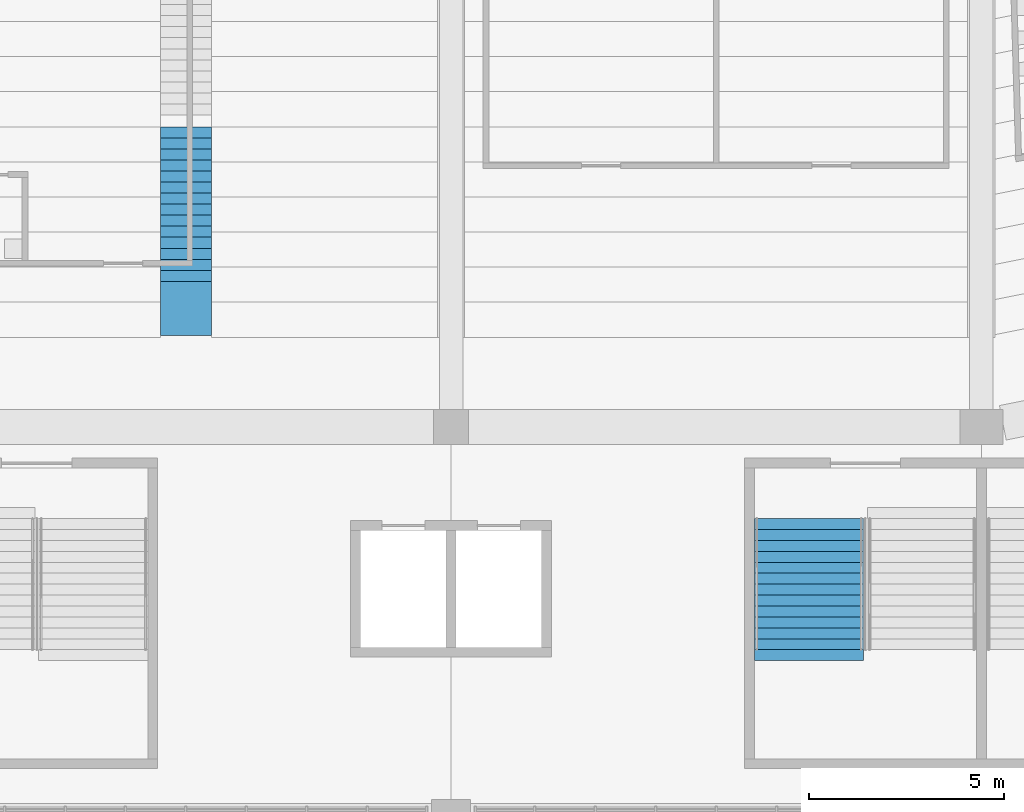
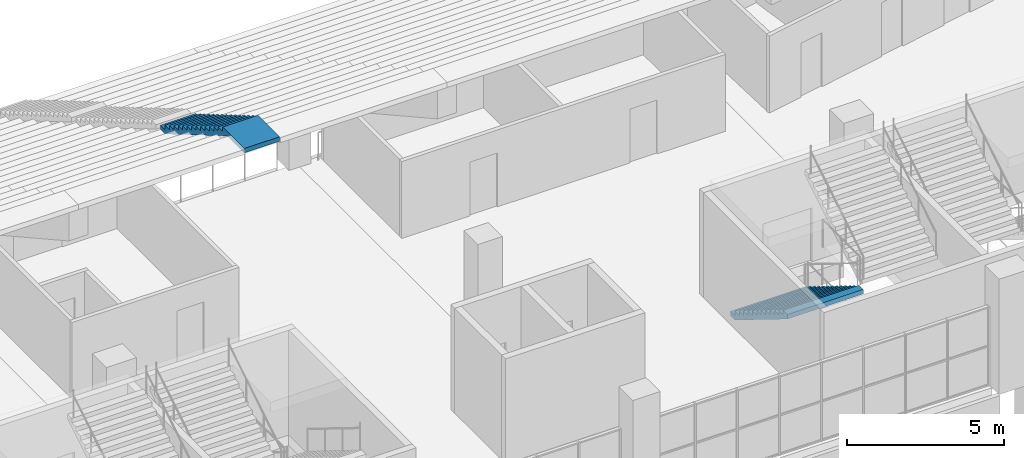
# One storey, part 151 of 249: 2 stair flights, 2 elements without a shape of their own.
"""IFC4 building model written with IfcOpenShell, lengths in metres."""

import ifcopenshell
import ifcopenshell.guid

model = None  # the IFC model being written
_history = None  # IfcOwnerHistory: only IFC2X3 demands one
_inside = {}  # id of a spatial element -> (the spatial element, [elements in it])
_under = {}  # id of a project, library or spatial element -> (it, [spatial elements below it])
_declared = {}  # id of a project -> (the project, [libraries it declares])
_typed = {}  # id of a type object -> (the type object, [elements of that type])
_made_of = {}  # id of a material, layer set ... -> (it, [elements and type objects made of it])


def new_model(schema):
    """Start an empty IFC model of exactly this schema.

    Asked for "IFC4X3", IfcOpenShell would pick the latest addendum, in which some entities
    have other attributes; the version numbers below select the first issue.
    IFC2X3 requires an IfcOwnerHistory on every rooted entity: one is made here for all.
    """
    global model, _history
    if schema == "IFC4X3":
        model = ifcopenshell.file(schema_version=(4, 3, 0, 0))
    else:
        model = ifcopenshell.file(schema=schema)
    _inside.clear()
    _under.clear()
    _declared.clear()
    _typed.clear()
    _made_of.clear()
    _history = None
    if model.schema == "IFC2X3":
        org = make("IfcOrganization", Name="unknown")
        user = make(
            "IfcPersonAndOrganization",
            ThePerson=make("IfcPerson", FamilyName="unknown"),
            TheOrganization=org,
        )
        app = make(
            "IfcApplication",
            ApplicationDeveloper=org,
            Version="unknown",
            ApplicationFullName="unknown",
            ApplicationIdentifier="unknown",
        )
        _history = make(
            "IfcOwnerHistory",
            OwningUser=user,
            OwningApplication=app,
            ChangeAction="ADDED",
            CreationDate=0,
        )
    return model


def make(cls, **values):
    """One entity of the class cls with the attributes given. An attribute that is None is left unset."""
    return model.create_entity(
        cls, **{name: value for name, value in values.items() if value is not None}
    )


def rooted(cls, **values):
    """An entity with a GlobalId (a new one), such as an element, a storey or a relation."""
    return make(cls, GlobalId=ifcopenshell.guid.new(), OwnerHistory=_history, **values)


def si_unit(unit_type, name, prefix=None):
    """IfcSIUnit, for example si_unit("LENGTHUNIT", "METRE", prefix="MILLI")."""
    return make("IfcSIUnit", UnitType=unit_type, Prefix=prefix, Name=name)


def assignment(units):
    """IfcUnitAssignment: the units of a project."""
    return None if units is None else make("IfcUnitAssignment", Units=units)


def point(xyz):
    """IfcCartesianPoint."""
    return None if xyz is None else make("IfcCartesianPoint", Coordinates=xyz)


def direction(xyz):
    """IfcDirection."""
    return None if xyz is None else make("IfcDirection", DirectionRatios=xyz)


def frame(location, z_axis=None, x_axis=None):
    """IfcAxis2Placement3D, a coordinate frame: its origin and axes. An axis left out is left unset."""
    return make(
        "IfcAxis2Placement3D",
        Location=point(location),
        Axis=direction(z_axis),
        RefDirection=direction(x_axis),
    )


def origin():
    """The frame at (0, 0, 0) with its axes left unset."""
    return frame((0.0, 0.0, 0.0))


def place(relative_to, where):
    """IfcLocalPlacement: puts the frame where relative to a parent placement (None: the world)."""
    return make(
        "IfcLocalPlacement", PlacementRelTo=relative_to, RelativePlacement=where
    )


def context(
    kind, dimensions, precision=None, world=None, true_north=None, identifier=None
):
    """IfcGeometricRepresentationContext, for example the 3D "Model" context."""
    return make(
        "IfcGeometricRepresentationContext",
        ContextIdentifier=identifier,
        ContextType=kind,
        CoordinateSpaceDimension=dimensions,
        Precision=precision,
        WorldCoordinateSystem=world,
        TrueNorth=true_north,
    )


def subcontext(parent, identifier, kind, view, scale=None):
    """IfcGeometricRepresentationSubContext, for example "Body" below "Model"."""
    return make(
        "IfcGeometricRepresentationSubContext",
        ContextIdentifier=identifier,
        ContextType=kind,
        ParentContext=parent,
        TargetScale=scale,
        TargetView=view,
    )


def project(units=None, contexts=None):
    """IfcProject with its units and contexts."""
    return rooted(
        "IfcProject",
        Name="project",
        RepresentationContexts=contexts,
        UnitsInContext=assignment(units),
    )


def spatial(cls, under=None, at=None, **own):
    """A site, building, storey or space (cls), placed at a placement, below another one or the project."""
    s = rooted(cls, ObjectPlacement=at, **own)
    if under is not None:
        _under.setdefault(under.id(), (under, []))[1].append(s)
    return s


def faces_of(points, faces, orient=None, outer=None):
    """IfcFace entities. A face is a list of loops; a loop is a list of indices into points, from 0.

    orient and outer hold one flag for each loop. By default every Orientation is true, the
    first loop of a face is its IfcFaceOuterBound and the others are IfcFaceBound.
    """
    made = []
    for i, loops in enumerate(faces):
        bounds = []
        for j, loop in enumerate(loops):
            is_outer = j == 0 if outer is None else outer[i][j]
            bounds.append(
                make(
                    "IfcFaceOuterBound" if is_outer else "IfcFaceBound",
                    Bound=make("IfcPolyLoop", Polygon=[points[k] for k in loop]),
                    Orientation=True if orient is None else orient[i][j],
                )
            )
        made.append(make("IfcFace", Bounds=bounds))
    return made


def faceted_brep(points, faces, orient=None, outer=None, voids=None):
    """IfcFacetedBrep: a solid bounded by flat faces; with voids (closed shells), ...WithVoids."""
    shared = [point(p) for p in points]
    hull = make("IfcClosedShell", CfsFaces=faces_of(shared, faces, orient, outer))
    if voids is None:
        return make("IfcFacetedBrep", Outer=hull)
    return make(
        "IfcFacetedBrepWithVoids",
        Outer=hull,
        Voids=[
            make(cls, CfsFaces=faces_of(shared, fs, o, b)) for cls, fs, o, b in voids
        ],
    )


def shape(context_of_items, identifier, shape_type, items):
    """IfcShapeRepresentation: the items that make up one representation, for example the "Body"."""
    return make(
        "IfcShapeRepresentation",
        ContextOfItems=context_of_items,
        RepresentationIdentifier=identifier,
        RepresentationType=shape_type,
        Items=items,
    )


def material(Name=None, Category=None):
    """IfcMaterial."""
    return make("IfcMaterial", Name=Name, Category=Category)


def made_of(thing, what):
    """Note that an element or type object is made of a material, layer set ...; save() writes the relation."""
    if what is not None:
        _made_of.setdefault(what.id(), (what, []))[1].append(thing)
    return thing


def type_object(cls, material=None, **own):
    """A type object (cls), such as IfcWallType, which elements share."""
    return made_of(rooted(cls, **own), material)


def element(
    cls,
    number,
    at=None,
    inside=None,
    cuts=None,
    type_object=None,
    material=None,
    context=None,
    identifier="Body",
    shape_type=None,
    held_by="IfcProductDefinitionShape",
    body=None,
    shapes=None,
    **own,
):
    """One element of the class cls, such as IfcWall. Its Tag is "e" and its number.

    at: its placement. inside: the storey or other place that contains it. cuts: it is an
    opening in that element (IfcRelVoidsElement). A single representation is given by context,
    identifier, shape_type and body (its items); several are given by shapes. held_by: the class
    of the entity that holds the representations. save() writes the other relations.
    """
    e = rooted(cls, Tag="e%d" % number, ObjectPlacement=at, **own)
    if body is not None:
        shapes = [shape(context, identifier, shape_type, body)]
    if shapes is not None:
        e.Representation = make(held_by, Representations=shapes)
    if inside is not None:
        _inside.setdefault(inside.id(), (inside, []))[1].append(e)
    if cuts is not None:
        rooted(
            "IfcRelVoidsElement", RelatingBuildingElement=cuts, RelatedOpeningElement=e
        )
    if type_object is not None:
        _typed.setdefault(type_object.id(), (type_object, []))[1].append(e)
    return made_of(e, material)


def aggregate(whole, parts):
    """IfcRelAggregates: a whole, such as a stair, and the parts it consists of."""
    return rooted("IfcRelAggregates", RelatingObject=whole, RelatedObjects=parts)


def save(model, path):
    """Write the relations noted so far, then the file.

    IfcRelAggregates (storeys below a building ...), IfcRelContainedInSpatialStructure (elements
    in a storey), IfcRelDefinesByType, IfcRelAssociatesMaterial and IfcRelDeclares: one each for
    every whole, place, type object, material and project.
    """
    for whole, parts in _under.values():
        aggregate(whole, parts)
    for where, things in _inside.values():
        rooted(
            "IfcRelContainedInSpatialStructure",
            RelatedElements=things,
            RelatingStructure=where,
        )
    for kind, things in _typed.values():
        rooted("IfcRelDefinesByType", RelatedObjects=things, RelatingType=kind)
    for what, things in _made_of.values():
        rooted("IfcRelAssociatesMaterial", RelatedObjects=things, RelatingMaterial=what)
    for by, libraries in _declared.values():
        rooted("IfcRelDeclares", RelatingContext=by, RelatedDefinitions=libraries)
    model.write(path)


model = new_model("IFC4")

# Units and contexts
model_context = context("Model", 3, precision=1e-05, world=origin(), true_north=direction((0.0, 1.0)))
body_context = subcontext(model_context, "Body", "Model", "MODEL_VIEW")
ifc_project = project(units=[si_unit("LENGTHUNIT", "METRE"), si_unit("AREAUNIT", "SQUARE_METRE"), si_unit("VOLUMEUNIT", "CUBIC_METRE"), si_unit("PLANEANGLEUNIT", "RADIAN"), si_unit("MASSUNIT", "GRAM", prefix="KILO")], contexts=[model_context])

# Site, building, storey
site_placement = place(None, origin())
site = spatial("IfcSite", under=ifc_project, at=site_placement, CompositionType="ELEMENT")
building_placement = place(site_placement, origin())
building = spatial("IfcBuilding", under=site, at=building_placement, Name="Ogive Plaza Stadium", CompositionType="ELEMENT")
storey_placement = place(building_placement, frame((0.0, 0.0, 13.5)))
storey = spatial("IfcBuildingStorey", under=building, at=storey_placement, Name="L03", CompositionType="ELEMENT", Elevation=13.5)

# Stair, stair flight
ifc_material_1 = material(Name="Concrete C40/50", Category="concrete")
stair_type_1 = type_object("IfcStairType", Name="Aisle stair", PredefinedType="STRAIGHT_RUN_STAIR", material=ifc_material_1)
stair_1_placement = place(storey_placement, origin())
stair_1 = element("IfcStair", 1, at=stair_1_placement, inside=storey, type_object=stair_type_1, Name="Aisle stair SA13U", PredefinedType="STRAIGHT_RUN_STAIR")
ifc_material_2 = material(Name="Concrete C40/50", Category="concrete")
stair_flight_type_1 = type_object("IfcStairFlightType", Name="Aisle stair flight", PredefinedType="STRAIGHT", material=ifc_material_2)
stair_flight_1_placement = place(storey_placement, frame((13.60009765625, -84.800048828125, 6.5), z_axis=(0.0, 0.0, 1.0), x_axis=(0.0, -1.0, 0.0)))
stair_flight_1 = element("IfcStairFlight", 2, at=stair_flight_1_placement, type_object=stair_flight_type_1, Name="SA13U flight 3", NumberOfRisers=15, NumberOfTreads=14, PredefinedType="STRAIGHT", RiserHeight=0.166666667, TreadLength=0.283333333, context=body_context, shape_type="Brep", body=[
    faceted_brep([(0.295654296875, -0.64990234375, 0.0), (4.25, -0.64990234375, 2.326171875), (5.35009765625, -0.64990234375, 2.326171875), (5.35009765625, -0.64990234375, 2.5), (3.966552734375, -0.64990234375, 2.5), (3.966552734375, -0.64990234375, 2.333251953125), (3.683349609375, -0.64990234375, 2.333251953125), (3.683349609375, -0.64990234375, 2.166748046875), (3.39990234375, -0.64990234375, 2.166748046875), (3.39990234375, -0.64990234375, 2.0), (3.11669921875, -0.64990234375, 2.0), (3.11669921875, -0.64990234375, 1.833251953125), (2.833251953125, -0.64990234375, 1.833251953125), (2.833251953125, -0.64990234375, 1.666748046875), (2.550048828125, -0.64990234375, 1.666748046875), (2.550048828125, -0.64990234375, 1.5), (2.2666015625, -0.64990234375, 1.5), (2.2666015625, -0.64990234375, 1.333251953125), (1.9833984375, -0.64990234375, 1.333251953125), (1.9833984375, -0.64990234375, 1.166748046875), (1.699951171875, -0.64990234375, 1.166748046875), (1.699951171875, -0.64990234375, 1.0), (1.416748046875, -0.64990234375, 1.0), (1.416748046875, -0.64990234375, 0.833251953125), (1.13330078125, -0.64990234375, 0.833251953125), (1.13330078125, -0.64990234375, 0.666748046875), (0.85009765625, -0.64990234375, 0.666748046875), (0.85009765625, -0.64990234375, 0.5), (0.566650390625, -0.64990234375, 0.5), (0.566650390625, -0.64990234375, 0.333251953125), (0.283447265625, -0.64990234375, 0.333251953125), (0.283447265625, -0.64990234375, 0.166748046875), (0.0, -0.64990234375, 0.166748046875), (0.0, -0.64990234375, 0.0), (0.0, 0.64990234375, 0.0), (0.0, 0.64990234375, 0.166748046875), (0.283447265625, 0.64990234375, 0.166748046875), (0.283447265625, 0.64990234375, 0.333251953125), (0.566650390625, 0.64990234375, 0.333251953125), (0.566650390625, 0.64990234375, 0.5), (0.85009765625, 0.64990234375, 0.5), (0.85009765625, 0.64990234375, 0.666748046875), (1.13330078125, 0.64990234375, 0.666748046875), (1.13330078125, 0.64990234375, 0.833251953125), (1.416748046875, 0.64990234375, 0.833251953125), (1.416748046875, 0.64990234375, 1.0), (1.699951171875, 0.64990234375, 1.0), (1.699951171875, 0.64990234375, 1.166748046875), (1.9833984375, 0.64990234375, 1.166748046875), (1.9833984375, 0.64990234375, 1.333251953125), (2.2666015625, 0.64990234375, 1.333251953125), (2.2666015625, 0.64990234375, 1.5), (2.550048828125, 0.64990234375, 1.5), (2.550048828125, 0.64990234375, 1.666748046875), (2.833251953125, 0.64990234375, 1.666748046875), (2.833251953125, 0.64990234375, 1.833251953125), (3.11669921875, 0.64990234375, 1.833251953125), (3.11669921875, 0.64990234375, 2.0), (3.39990234375, 0.64990234375, 2.0), (3.39990234375, 0.64990234375, 2.166748046875), (3.683349609375, 0.64990234375, 2.166748046875), (3.683349609375, 0.64990234375, 2.333251953125), (3.966552734375, 0.64990234375, 2.333251953125), (3.966552734375, 0.64990234375, 2.5), (5.35009765625, 0.64990234375, 2.5), (5.35009765625, 0.64990234375, 2.326171875), (4.25, 0.64990234375, 2.326171875), (0.295654296875, 0.64990234375, 0.0), (0.295654296875, -0.324951171875, 0.0), (4.25, -0.324951171875, 2.326171875), (0.295654296875, 0.0, 0.0), (4.25, 0.0, 2.326171875), (0.295654296875, 0.324951171875, 0.0), (4.25, 0.324951171875, 2.326171875), (5.35009765625, -0.324951171875, 2.326171875), (5.35009765625, 0.0, 2.326171875), (5.35009765625, 0.324951171875, 2.326171875), (5.35009765625, -0.324951171875, 2.5), (5.35009765625, 0.0, 2.5), (5.35009765625, 0.324951171875, 2.5), (3.966552734375, -0.324951171875, 2.5), (3.966552734375, 0.0, 2.5), (3.966552734375, 0.324951171875, 2.5), (3.966552734375, -0.324951171875, 2.333251953125), (3.966552734375, 0.0, 2.333251953125), (3.966552734375, 0.324951171875, 2.333251953125), (3.683349609375, -0.324951171875, 2.333251953125), (3.683349609375, 0.0, 2.333251953125), (3.683349609375, 0.324951171875, 2.333251953125), (3.683349609375, -0.324951171875, 2.166748046875), (3.683349609375, 0.0, 2.166748046875), (3.683349609375, 0.324951171875, 2.166748046875), (3.39990234375, -0.324951171875, 2.166748046875), (3.39990234375, 0.0, 2.166748046875), (3.39990234375, 0.324951171875, 2.166748046875), (3.39990234375, -0.324951171875, 2.0), (3.39990234375, 0.0, 2.0), (3.39990234375, 0.324951171875, 2.0), (3.11669921875, -0.324951171875, 2.0), (3.11669921875, 0.0, 2.0), (3.11669921875, 0.324951171875, 2.0), (3.11669921875, -0.324951171875, 1.833251953125), (3.11669921875, 0.0, 1.833251953125), (3.11669921875, 0.324951171875, 1.833251953125), (2.833251953125, -0.324951171875, 1.833251953125), (2.833251953125, 0.0, 1.833251953125), (2.833251953125, 0.324951171875, 1.833251953125), (2.833251953125, -0.324951171875, 1.666748046875), (2.833251953125, 0.0, 1.666748046875), (2.833251953125, 0.324951171875, 1.666748046875), (2.550048828125, -0.324951171875, 1.666748046875), (2.550048828125, 0.0, 1.666748046875), (2.550048828125, 0.324951171875, 1.666748046875), (2.550048828125, -0.324951171875, 1.5), (2.550048828125, 0.0, 1.5), (2.550048828125, 0.324951171875, 1.5), (2.2666015625, -0.324951171875, 1.5), (2.2666015625, 0.0, 1.5), (2.2666015625, 0.324951171875, 1.5), (2.2666015625, -0.324951171875, 1.333251953125), (2.2666015625, 0.0, 1.333251953125), (2.2666015625, 0.324951171875, 1.333251953125), (1.9833984375, -0.324951171875, 1.333251953125), (1.9833984375, 0.0, 1.333251953125), (1.9833984375, 0.324951171875, 1.333251953125), (1.9833984375, -0.324951171875, 1.166748046875), (1.9833984375, 0.0, 1.166748046875), (1.9833984375, 0.324951171875, 1.166748046875), (1.699951171875, -0.324951171875, 1.166748046875), (1.699951171875, 0.0, 1.166748046875), (1.699951171875, 0.324951171875, 1.166748046875), (1.699951171875, -0.324951171875, 1.0), (1.699951171875, 0.0, 1.0), (1.699951171875, 0.324951171875, 1.0), (1.416748046875, -0.324951171875, 1.0), (1.416748046875, 0.0, 1.0), (1.416748046875, 0.324951171875, 1.0), (1.416748046875, -0.324951171875, 0.833251953125), (1.416748046875, 0.0, 0.833251953125), (1.416748046875, 0.324951171875, 0.833251953125), (1.13330078125, -0.324951171875, 0.833251953125), (1.13330078125, 0.0, 0.833251953125), (1.13330078125, 0.324951171875, 0.833251953125), (1.13330078125, -0.324951171875, 0.666748046875), (1.13330078125, 0.0, 0.666748046875), (1.13330078125, 0.324951171875, 0.666748046875), (0.85009765625, -0.324951171875, 0.666748046875), (0.85009765625, 0.0, 0.666748046875), (0.85009765625, 0.324951171875, 0.666748046875), (0.85009765625, -0.324951171875, 0.5), (0.85009765625, 0.0, 0.5), (0.85009765625, 0.324951171875, 0.5), (0.566650390625, -0.324951171875, 0.5), (0.566650390625, 0.0, 0.5), (0.566650390625, 0.324951171875, 0.5), (0.566650390625, -0.324951171875, 0.333251953125), (0.566650390625, 0.0, 0.333251953125), (0.566650390625, 0.324951171875, 0.333251953125), (0.283447265625, -0.324951171875, 0.333251953125), (0.283447265625, 0.0, 0.333251953125), (0.283447265625, 0.324951171875, 0.333251953125), (0.283447265625, -0.324951171875, 0.166748046875), (0.283447265625, 0.0, 0.166748046875), (0.283447265625, 0.324951171875, 0.166748046875), (0.0, -0.324951171875, 0.166748046875), (0.0, 0.0, 0.166748046875), (0.0, 0.324951171875, 0.166748046875), (0.0, -0.324951171875, 0.0), (0.0, 0.0, 0.0), (0.0, 0.324951171875, 0.0)], [[[0, 1, 2, 3, 4, 5, 6, 7, 8, 9, 10, 11, 12, 13, 14, 15, 16, 17, 18, 19, 20, 21, 22, 23, 24, 25, 26, 27, 28, 29, 30, 31, 32, 33]], [[34, 35, 36, 37, 38, 39, 40, 41, 42, 43, 44, 45, 46, 47, 48, 49, 50, 51, 52, 53, 54, 55, 56, 57, 58, 59, 60, 61, 62, 63, 64, 65, 66, 67]], [[0, 68, 69, 1]], [[68, 70, 71, 69]], [[70, 72, 73, 71]], [[72, 67, 66, 73]], [[1, 69, 74, 2]], [[69, 71, 75, 74]], [[71, 73, 76, 75]], [[73, 66, 65, 76]], [[2, 74, 77, 3]], [[74, 75, 78, 77]], [[75, 76, 79, 78]], [[76, 65, 64, 79]], [[3, 77, 80, 4]], [[77, 78, 81, 80]], [[78, 79, 82, 81]], [[79, 64, 63, 82]], [[4, 80, 83, 5]], [[80, 81, 84, 83]], [[81, 82, 85, 84]], [[82, 63, 62, 85]], [[5, 83, 86, 6]], [[83, 84, 87, 86]], [[84, 85, 88, 87]], [[85, 62, 61, 88]], [[6, 86, 89, 7]], [[86, 87, 90, 89]], [[87, 88, 91, 90]], [[88, 61, 60, 91]], [[7, 89, 92, 8]], [[89, 90, 93, 92]], [[90, 91, 94, 93]], [[91, 60, 59, 94]], [[8, 92, 95, 9]], [[92, 93, 96, 95]], [[93, 94, 97, 96]], [[94, 59, 58, 97]], [[9, 95, 98, 10]], [[95, 96, 99, 98]], [[96, 97, 100, 99]], [[97, 58, 57, 100]], [[10, 98, 101, 11]], [[98, 99, 102, 101]], [[99, 100, 103, 102]], [[100, 57, 56, 103]], [[11, 101, 104, 12]], [[101, 102, 105, 104]], [[102, 103, 106, 105]], [[103, 56, 55, 106]], [[12, 104, 107, 13]], [[104, 105, 108, 107]], [[105, 106, 109, 108]], [[106, 55, 54, 109]], [[13, 107, 110, 14]], [[107, 108, 111, 110]], [[108, 109, 112, 111]], [[109, 54, 53, 112]], [[14, 110, 113, 15]], [[110, 111, 114, 113]], [[111, 112, 115, 114]], [[112, 53, 52, 115]], [[15, 113, 116, 16]], [[113, 114, 117, 116]], [[114, 115, 118, 117]], [[115, 52, 51, 118]], [[16, 116, 119, 17]], [[116, 117, 120, 119]], [[117, 118, 121, 120]], [[118, 51, 50, 121]], [[17, 119, 122, 18]], [[119, 120, 123, 122]], [[120, 121, 124, 123]], [[121, 50, 49, 124]], [[18, 122, 125, 19]], [[122, 123, 126, 125]], [[123, 124, 127, 126]], [[124, 49, 48, 127]], [[19, 125, 128, 20]], [[125, 126, 129, 128]], [[126, 127, 130, 129]], [[127, 48, 47, 130]], [[20, 128, 131, 21]], [[128, 129, 132, 131]], [[129, 130, 133, 132]], [[130, 47, 46, 133]], [[21, 131, 134, 22]], [[131, 132, 135, 134]], [[132, 133, 136, 135]], [[133, 46, 45, 136]], [[22, 134, 137, 23]], [[134, 135, 138, 137]], [[135, 136, 139, 138]], [[136, 45, 44, 139]], [[23, 137, 140, 24]], [[137, 138, 141, 140]], [[138, 139, 142, 141]], [[139, 44, 43, 142]], [[24, 140, 143, 25]], [[140, 141, 144, 143]], [[141, 142, 145, 144]], [[142, 43, 42, 145]], [[25, 143, 146, 26]], [[143, 144, 147, 146]], [[144, 145, 148, 147]], [[145, 42, 41, 148]], [[26, 146, 149, 27]], [[146, 147, 150, 149]], [[147, 148, 151, 150]], [[148, 41, 40, 151]], [[27, 149, 152, 28]], [[149, 150, 153, 152]], [[150, 151, 154, 153]], [[151, 40, 39, 154]], [[28, 152, 155, 29]], [[152, 153, 156, 155]], [[153, 154, 157, 156]], [[154, 39, 38, 157]], [[29, 155, 158, 30]], [[155, 156, 159, 158]], [[156, 157, 160, 159]], [[157, 38, 37, 160]], [[30, 158, 161, 31]], [[158, 159, 162, 161]], [[159, 160, 163, 162]], [[160, 37, 36, 163]], [[31, 161, 164, 32]], [[161, 162, 165, 164]], [[162, 163, 166, 165]], [[163, 36, 35, 166]], [[32, 164, 167, 33]], [[164, 165, 168, 167]], [[165, 166, 169, 168]], [[166, 35, 34, 169]], [[33, 167, 68, 0]], [[167, 168, 70, 68]], [[168, 169, 72, 70]], [[169, 34, 67, 72]]]),
])
aggregate(stair_1, [stair_flight_1])

ifc_material_3 = material(Name="Concrete C40/50", Category="concrete")
stair_type_2 = type_object("IfcStairType", Name="Exit stair", PredefinedType="STRAIGHT_RUN_STAIR", material=ifc_material_3)
stair_2_placement = place(storey_placement, origin())
stair_2 = element("IfcStair", 3, at=stair_2_placement, inside=storey, type_object=stair_type_2, Name="Exit stair ST12A L03 to L04", PredefinedType="STRAIGHT_RUN_STAIR")
ifc_material_4 = material(Name="Concrete C40/50", Category="concrete")
stair_flight_type_2 = type_object("IfcStairFlightType", Name="Exit stair flight", PredefinedType="STRAIGHT", material=ifc_material_4)
stair_flight_2_placement = place(storey_placement, frame((29.574951171875, -94.85009765625, 0.0), z_axis=(0.0, 0.0, 1.0), x_axis=(0.0, -1.0, 0.0)))
stair_flight_2 = element("IfcStairFlight", 4, at=stair_flight_2_placement, type_object=stair_flight_type_2, Name="ST12A flight 1", NumberOfRisers=13, NumberOfTreads=12, PredefinedType="STRAIGHT", RiserHeight=0.173076923, TreadLength=0.28, context=body_context, shape_type="Brep", body=[
    faceted_brep([(0.28515625, -1.39990234375, 0.0), (3.639892578125, -1.39990234375, 2.07373046875), (3.639892578125, -1.39990234375, 2.25), (3.360107421875, -1.39990234375, 2.25), (3.360107421875, -1.39990234375, 2.076904296875), (3.080078125, -1.39990234375, 2.076904296875), (3.080078125, -1.39990234375, 1.90380859375), (2.800048828125, -1.39990234375, 1.90380859375), (2.800048828125, -1.39990234375, 1.730712890625), (2.52001953125, -1.39990234375, 1.730712890625), (2.52001953125, -1.39990234375, 1.5576171875), (2.239990234375, -1.39990234375, 1.5576171875), (2.239990234375, -1.39990234375, 1.384521484375), (1.9599609375, -1.39990234375, 1.384521484375), (1.9599609375, -1.39990234375, 1.21142578125), (1.679931640625, -1.39990234375, 1.21142578125), (1.679931640625, -1.39990234375, 1.03857421875), (1.39990234375, -1.39990234375, 1.03857421875), (1.39990234375, -1.39990234375, 0.865478515625), (1.1201171875, -1.39990234375, 0.865478515625), (1.1201171875, -1.39990234375, 0.6923828125), (0.840087890625, -1.39990234375, 0.6923828125), (0.840087890625, -1.39990234375, 0.519287109375), (0.56005859375, -1.39990234375, 0.519287109375), (0.56005859375, -1.39990234375, 0.34619140625), (0.280029296875, -1.39990234375, 0.34619140625), (0.280029296875, -1.39990234375, 0.173095703125), (0.0, -1.39990234375, 0.173095703125), (0.0, -1.39990234375, 0.0), (0.0, 1.39990234375, 0.0), (0.0, 1.39990234375, 0.173095703125), (0.280029296875, 1.39990234375, 0.173095703125), (0.280029296875, 1.39990234375, 0.34619140625), (0.56005859375, 1.39990234375, 0.34619140625), (0.56005859375, 1.39990234375, 0.519287109375), (0.840087890625, 1.39990234375, 0.519287109375), (0.840087890625, 1.39990234375, 0.6923828125), (1.1201171875, 1.39990234375, 0.6923828125), (1.1201171875, 1.39990234375, 0.865478515625), (1.39990234375, 1.39990234375, 0.865478515625), (1.39990234375, 1.39990234375, 1.03857421875), (1.679931640625, 1.39990234375, 1.03857421875), (1.679931640625, 1.39990234375, 1.21142578125), (1.9599609375, 1.39990234375, 1.21142578125), (1.9599609375, 1.39990234375, 1.384521484375), (2.239990234375, 1.39990234375, 1.384521484375), (2.239990234375, 1.39990234375, 1.5576171875), (2.52001953125, 1.39990234375, 1.5576171875), (2.52001953125, 1.39990234375, 1.730712890625), (2.800048828125, 1.39990234375, 1.730712890625), (2.800048828125, 1.39990234375, 1.90380859375), (3.080078125, 1.39990234375, 1.90380859375), (3.080078125, 1.39990234375, 2.076904296875), (3.360107421875, 1.39990234375, 2.076904296875), (3.360107421875, 1.39990234375, 2.25), (3.639892578125, 1.39990234375, 2.25), (3.639892578125, 1.39990234375, 2.07373046875), (0.28515625, 1.39990234375, 0.0), (0.28515625, -1.0888671875, 0.0), (3.639892578125, -1.0888671875, 2.07373046875), (0.28515625, -0.77783203125, 0.0), (3.639892578125, -0.77783203125, 2.07373046875), (0.28515625, -0.466796875, 0.0), (3.639892578125, -0.466796875, 2.07373046875), (0.28515625, -0.155517578125, 0.0), (3.639892578125, -0.155517578125, 2.07373046875), (0.28515625, 0.155517578125, 0.0), (3.639892578125, 0.155517578125, 2.07373046875), (0.28515625, 0.466796875, 0.0), (3.639892578125, 0.466796875, 2.07373046875), (0.28515625, 0.77783203125, 0.0), (3.639892578125, 0.77783203125, 2.07373046875), (0.28515625, 1.0888671875, 0.0), (3.639892578125, 1.0888671875, 2.07373046875), (3.639892578125, -1.0888671875, 2.25), (3.639892578125, -0.77783203125, 2.25), (3.639892578125, -0.466796875, 2.25), (3.639892578125, -0.155517578125, 2.25), (3.639892578125, 0.155517578125, 2.25), (3.639892578125, 0.466796875, 2.25), (3.639892578125, 0.77783203125, 2.25), (3.639892578125, 1.0888671875, 2.25), (3.360107421875, -1.0888671875, 2.25), (3.360107421875, -0.77783203125, 2.25), (3.360107421875, -0.466796875, 2.25), (3.360107421875, -0.155517578125, 2.25), (3.360107421875, 0.155517578125, 2.25), (3.360107421875, 0.466796875, 2.25), (3.360107421875, 0.77783203125, 2.25), (3.360107421875, 1.0888671875, 2.25), (3.360107421875, -1.0888671875, 2.076904296875), (3.360107421875, -0.77783203125, 2.076904296875), (3.360107421875, -0.466796875, 2.076904296875), (3.360107421875, -0.155517578125, 2.076904296875), (3.360107421875, 0.155517578125, 2.076904296875), (3.360107421875, 0.466796875, 2.076904296875), (3.360107421875, 0.77783203125, 2.076904296875), (3.360107421875, 1.0888671875, 2.076904296875), (3.080078125, -1.0888671875, 2.076904296875), (3.080078125, -0.77783203125, 2.076904296875), (3.080078125, -0.466796875, 2.076904296875), (3.080078125, -0.155517578125, 2.076904296875), (3.080078125, 0.155517578125, 2.076904296875), (3.080078125, 0.466796875, 2.076904296875), (3.080078125, 0.77783203125, 2.076904296875), (3.080078125, 1.0888671875, 2.076904296875), (3.080078125, -1.0888671875, 1.90380859375), (3.080078125, -0.77783203125, 1.90380859375), (3.080078125, -0.466796875, 1.90380859375), (3.080078125, -0.155517578125, 1.90380859375), (3.080078125, 0.155517578125, 1.90380859375), (3.080078125, 0.466796875, 1.90380859375), (3.080078125, 0.77783203125, 1.90380859375), (3.080078125, 1.0888671875, 1.90380859375), (2.800048828125, -1.0888671875, 1.90380859375), (2.800048828125, -0.77783203125, 1.90380859375), (2.800048828125, -0.466796875, 1.90380859375), (2.800048828125, -0.155517578125, 1.90380859375), (2.800048828125, 0.155517578125, 1.90380859375), (2.800048828125, 0.466796875, 1.90380859375), (2.800048828125, 0.77783203125, 1.90380859375), (2.800048828125, 1.0888671875, 1.90380859375), (2.800048828125, -1.0888671875, 1.730712890625), (2.800048828125, -0.77783203125, 1.730712890625), (2.800048828125, -0.466796875, 1.730712890625), (2.800048828125, -0.155517578125, 1.730712890625), (2.800048828125, 0.155517578125, 1.730712890625), (2.800048828125, 0.466796875, 1.730712890625), (2.800048828125, 0.77783203125, 1.730712890625), (2.800048828125, 1.0888671875, 1.730712890625), (2.52001953125, -1.0888671875, 1.730712890625), (2.52001953125, -0.77783203125, 1.730712890625), (2.52001953125, -0.466796875, 1.730712890625), (2.52001953125, -0.155517578125, 1.730712890625), (2.52001953125, 0.155517578125, 1.730712890625), (2.52001953125, 0.466796875, 1.730712890625), (2.52001953125, 0.77783203125, 1.730712890625), (2.52001953125, 1.0888671875, 1.730712890625), (2.52001953125, -1.0888671875, 1.5576171875), (2.52001953125, -0.77783203125, 1.5576171875), (2.52001953125, -0.466796875, 1.5576171875), (2.52001953125, -0.155517578125, 1.5576171875), (2.52001953125, 0.155517578125, 1.5576171875), (2.52001953125, 0.466796875, 1.5576171875), (2.52001953125, 0.77783203125, 1.5576171875), (2.52001953125, 1.0888671875, 1.5576171875), (2.239990234375, -1.0888671875, 1.5576171875), (2.239990234375, -0.77783203125, 1.5576171875), (2.239990234375, -0.466796875, 1.5576171875), (2.239990234375, -0.155517578125, 1.5576171875), (2.239990234375, 0.155517578125, 1.5576171875), (2.239990234375, 0.466796875, 1.5576171875), (2.239990234375, 0.77783203125, 1.5576171875), (2.239990234375, 1.0888671875, 1.5576171875), (2.239990234375, -1.0888671875, 1.384521484375), (2.239990234375, -0.77783203125, 1.384521484375), (2.239990234375, -0.466796875, 1.384521484375), (2.239990234375, -0.155517578125, 1.384521484375), (2.239990234375, 0.155517578125, 1.384521484375), (2.239990234375, 0.466796875, 1.384521484375), (2.239990234375, 0.77783203125, 1.384521484375), (2.239990234375, 1.0888671875, 1.384521484375), (1.9599609375, -1.0888671875, 1.384521484375), (1.9599609375, -0.77783203125, 1.384521484375), (1.9599609375, -0.466796875, 1.384521484375), (1.9599609375, -0.155517578125, 1.384521484375), (1.9599609375, 0.155517578125, 1.384521484375), (1.9599609375, 0.466796875, 1.384521484375), (1.9599609375, 0.77783203125, 1.384521484375), (1.9599609375, 1.0888671875, 1.384521484375), (1.9599609375, -1.0888671875, 1.21142578125), (1.9599609375, -0.77783203125, 1.21142578125), (1.9599609375, -0.466796875, 1.21142578125), (1.9599609375, -0.155517578125, 1.21142578125), (1.9599609375, 0.155517578125, 1.21142578125), (1.9599609375, 0.466796875, 1.21142578125), (1.9599609375, 0.77783203125, 1.21142578125), (1.9599609375, 1.0888671875, 1.21142578125), (1.679931640625, -1.0888671875, 1.21142578125), (1.679931640625, -0.77783203125, 1.21142578125), (1.679931640625, -0.466796875, 1.21142578125), (1.679931640625, -0.155517578125, 1.21142578125), (1.679931640625, 0.155517578125, 1.21142578125), (1.679931640625, 0.466796875, 1.21142578125), (1.679931640625, 0.77783203125, 1.21142578125), (1.679931640625, 1.0888671875, 1.21142578125), (1.679931640625, -1.0888671875, 1.03857421875), (1.679931640625, -0.77783203125, 1.03857421875), (1.679931640625, -0.466796875, 1.03857421875), (1.679931640625, -0.155517578125, 1.03857421875), (1.679931640625, 0.155517578125, 1.03857421875), (1.679931640625, 0.466796875, 1.03857421875), (1.679931640625, 0.77783203125, 1.03857421875), (1.679931640625, 1.0888671875, 1.03857421875), (1.39990234375, -1.0888671875, 1.03857421875), (1.39990234375, -0.77783203125, 1.03857421875), (1.39990234375, -0.466796875, 1.03857421875), (1.39990234375, -0.155517578125, 1.03857421875), (1.39990234375, 0.155517578125, 1.03857421875), (1.39990234375, 0.466796875, 1.03857421875), (1.39990234375, 0.77783203125, 1.03857421875), (1.39990234375, 1.0888671875, 1.03857421875), (1.39990234375, -1.0888671875, 0.865478515625), (1.39990234375, -0.77783203125, 0.865478515625), (1.39990234375, -0.466796875, 0.865478515625), (1.39990234375, -0.155517578125, 0.865478515625), (1.39990234375, 0.155517578125, 0.865478515625), (1.39990234375, 0.466796875, 0.865478515625), (1.39990234375, 0.77783203125, 0.865478515625), (1.39990234375, 1.0888671875, 0.865478515625), (1.1201171875, -1.0888671875, 0.865478515625), (1.1201171875, -0.77783203125, 0.865478515625), (1.1201171875, -0.466796875, 0.865478515625), (1.1201171875, -0.155517578125, 0.865478515625), (1.1201171875, 0.155517578125, 0.865478515625), (1.1201171875, 0.466796875, 0.865478515625), (1.1201171875, 0.77783203125, 0.865478515625), (1.1201171875, 1.0888671875, 0.865478515625), (1.1201171875, -1.0888671875, 0.6923828125), (1.1201171875, -0.77783203125, 0.6923828125), (1.1201171875, -0.466796875, 0.6923828125), (1.1201171875, -0.155517578125, 0.6923828125), (1.1201171875, 0.155517578125, 0.6923828125), (1.1201171875, 0.466796875, 0.6923828125), (1.1201171875, 0.77783203125, 0.6923828125), (1.1201171875, 1.0888671875, 0.6923828125), (0.840087890625, -1.0888671875, 0.6923828125), (0.840087890625, -0.77783203125, 0.6923828125), (0.840087890625, -0.466796875, 0.6923828125), (0.840087890625, -0.155517578125, 0.6923828125), (0.840087890625, 0.155517578125, 0.6923828125), (0.840087890625, 0.466796875, 0.6923828125), (0.840087890625, 0.77783203125, 0.6923828125), (0.840087890625, 1.0888671875, 0.6923828125), (0.840087890625, -1.0888671875, 0.519287109375), (0.840087890625, -0.77783203125, 0.519287109375), (0.840087890625, -0.466796875, 0.519287109375), (0.840087890625, -0.155517578125, 0.519287109375), (0.840087890625, 0.155517578125, 0.519287109375), (0.840087890625, 0.466796875, 0.519287109375), (0.840087890625, 0.77783203125, 0.519287109375), (0.840087890625, 1.0888671875, 0.519287109375), (0.56005859375, -1.0888671875, 0.519287109375), (0.56005859375, -0.77783203125, 0.519287109375), (0.56005859375, -0.466796875, 0.519287109375), (0.56005859375, -0.155517578125, 0.519287109375), (0.56005859375, 0.155517578125, 0.519287109375), (0.56005859375, 0.466796875, 0.519287109375), (0.56005859375, 0.77783203125, 0.519287109375), (0.56005859375, 1.0888671875, 0.519287109375), (0.56005859375, -1.0888671875, 0.34619140625), (0.56005859375, -0.77783203125, 0.34619140625), (0.56005859375, -0.466796875, 0.34619140625), (0.56005859375, -0.155517578125, 0.34619140625), (0.56005859375, 0.155517578125, 0.34619140625), (0.56005859375, 0.466796875, 0.34619140625), (0.56005859375, 0.77783203125, 0.34619140625), (0.56005859375, 1.0888671875, 0.34619140625), (0.280029296875, -1.0888671875, 0.34619140625), (0.280029296875, -0.77783203125, 0.34619140625), (0.280029296875, -0.466796875, 0.34619140625), (0.280029296875, -0.155517578125, 0.34619140625), (0.280029296875, 0.155517578125, 0.34619140625), (0.280029296875, 0.466796875, 0.34619140625), (0.280029296875, 0.77783203125, 0.34619140625), (0.280029296875, 1.0888671875, 0.34619140625), (0.280029296875, -1.0888671875, 0.173095703125), (0.280029296875, -0.77783203125, 0.173095703125), (0.280029296875, -0.466796875, 0.173095703125), (0.280029296875, -0.155517578125, 0.173095703125), (0.280029296875, 0.155517578125, 0.173095703125), (0.280029296875, 0.466796875, 0.173095703125), (0.280029296875, 0.77783203125, 0.173095703125), (0.280029296875, 1.0888671875, 0.173095703125), (0.0, -1.0888671875, 0.173095703125), (0.0, -0.77783203125, 0.173095703125), (0.0, -0.466796875, 0.173095703125), (0.0, -0.155517578125, 0.173095703125), (0.0, 0.155517578125, 0.173095703125), (0.0, 0.466796875, 0.173095703125), (0.0, 0.77783203125, 0.173095703125), (0.0, 1.0888671875, 0.173095703125), (0.0, -1.0888671875, 0.0), (0.0, -0.77783203125, 0.0), (0.0, -0.466796875, 0.0), (0.0, -0.155517578125, 0.0), (0.0, 0.155517578125, 0.0), (0.0, 0.466796875, 0.0), (0.0, 0.77783203125, 0.0), (0.0, 1.0888671875, 0.0)], [[[0, 1, 2, 3, 4, 5, 6, 7, 8, 9, 10, 11, 12, 13, 14, 15, 16, 17, 18, 19, 20, 21, 22, 23, 24, 25, 26, 27, 28]], [[29, 30, 31, 32, 33, 34, 35, 36, 37, 38, 39, 40, 41, 42, 43, 44, 45, 46, 47, 48, 49, 50, 51, 52, 53, 54, 55, 56, 57]], [[0, 58, 59, 1]], [[58, 60, 61, 59]], [[60, 62, 63, 61]], [[62, 64, 65, 63]], [[64, 66, 67, 65]], [[66, 68, 69, 67]], [[68, 70, 71, 69]], [[70, 72, 73, 71]], [[72, 57, 56, 73]], [[1, 59, 74, 2]], [[59, 61, 75, 74]], [[61, 63, 76, 75]], [[63, 65, 77, 76]], [[65, 67, 78, 77]], [[67, 69, 79, 78]], [[69, 71, 80, 79]], [[71, 73, 81, 80]], [[73, 56, 55, 81]], [[2, 74, 82, 3]], [[74, 75, 83, 82]], [[75, 76, 84, 83]], [[76, 77, 85, 84]], [[77, 78, 86, 85]], [[78, 79, 87, 86]], [[79, 80, 88, 87]], [[80, 81, 89, 88]], [[81, 55, 54, 89]], [[3, 82, 90, 4]], [[82, 83, 91, 90]], [[83, 84, 92, 91]], [[84, 85, 93, 92]], [[85, 86, 94, 93]], [[86, 87, 95, 94]], [[87, 88, 96, 95]], [[88, 89, 97, 96]], [[89, 54, 53, 97]], [[4, 90, 98, 5]], [[90, 91, 99, 98]], [[91, 92, 100, 99]], [[92, 93, 101, 100]], [[93, 94, 102, 101]], [[94, 95, 103, 102]], [[95, 96, 104, 103]], [[96, 97, 105, 104]], [[97, 53, 52, 105]], [[5, 98, 106, 6]], [[98, 99, 107, 106]], [[99, 100, 108, 107]], [[100, 101, 109, 108]], [[101, 102, 110, 109]], [[102, 103, 111, 110]], [[103, 104, 112, 111]], [[104, 105, 113, 112]], [[105, 52, 51, 113]], [[6, 106, 114, 7]], [[106, 107, 115, 114]], [[107, 108, 116, 115]], [[108, 109, 117, 116]], [[109, 110, 118, 117]], [[110, 111, 119, 118]], [[111, 112, 120, 119]], [[112, 113, 121, 120]], [[113, 51, 50, 121]], [[7, 114, 122, 8]], [[114, 115, 123, 122]], [[115, 116, 124, 123]], [[116, 117, 125, 124]], [[117, 118, 126, 125]], [[118, 119, 127, 126]], [[119, 120, 128, 127]], [[120, 121, 129, 128]], [[121, 50, 49, 129]], [[8, 122, 130, 9]], [[122, 123, 131, 130]], [[123, 124, 132, 131]], [[124, 125, 133, 132]], [[125, 126, 134, 133]], [[126, 127, 135, 134]], [[127, 128, 136, 135]], [[128, 129, 137, 136]], [[129, 49, 48, 137]], [[9, 130, 138, 10]], [[130, 131, 139, 138]], [[131, 132, 140, 139]], [[132, 133, 141, 140]], [[133, 134, 142, 141]], [[134, 135, 143, 142]], [[135, 136, 144, 143]], [[136, 137, 145, 144]], [[137, 48, 47, 145]], [[10, 138, 146, 11]], [[138, 139, 147, 146]], [[139, 140, 148, 147]], [[140, 141, 149, 148]], [[141, 142, 150, 149]], [[142, 143, 151, 150]], [[143, 144, 152, 151]], [[144, 145, 153, 152]], [[145, 47, 46, 153]], [[11, 146, 154, 12]], [[146, 147, 155, 154]], [[147, 148, 156, 155]], [[148, 149, 157, 156]], [[149, 150, 158, 157]], [[150, 151, 159, 158]], [[151, 152, 160, 159]], [[152, 153, 161, 160]], [[153, 46, 45, 161]], [[12, 154, 162, 13]], [[154, 155, 163, 162]], [[155, 156, 164, 163]], [[156, 157, 165, 164]], [[157, 158, 166, 165]], [[158, 159, 167, 166]], [[159, 160, 168, 167]], [[160, 161, 169, 168]], [[161, 45, 44, 169]], [[13, 162, 170, 14]], [[162, 163, 171, 170]], [[163, 164, 172, 171]], [[164, 165, 173, 172]], [[165, 166, 174, 173]], [[166, 167, 175, 174]], [[167, 168, 176, 175]], [[168, 169, 177, 176]], [[169, 44, 43, 177]], [[14, 170, 178, 15]], [[170, 171, 179, 178]], [[171, 172, 180, 179]], [[172, 173, 181, 180]], [[173, 174, 182, 181]], [[174, 175, 183, 182]], [[175, 176, 184, 183]], [[176, 177, 185, 184]], [[177, 43, 42, 185]], [[15, 178, 186, 16]], [[178, 179, 187, 186]], [[179, 180, 188, 187]], [[180, 181, 189, 188]], [[181, 182, 190, 189]], [[182, 183, 191, 190]], [[183, 184, 192, 191]], [[184, 185, 193, 192]], [[185, 42, 41, 193]], [[16, 186, 194, 17]], [[186, 187, 195, 194]], [[187, 188, 196, 195]], [[188, 189, 197, 196]], [[189, 190, 198, 197]], [[190, 191, 199, 198]], [[191, 192, 200, 199]], [[192, 193, 201, 200]], [[193, 41, 40, 201]], [[17, 194, 202, 18]], [[194, 195, 203, 202]], [[195, 196, 204, 203]], [[196, 197, 205, 204]], [[197, 198, 206, 205]], [[198, 199, 207, 206]], [[199, 200, 208, 207]], [[200, 201, 209, 208]], [[201, 40, 39, 209]], [[18, 202, 210, 19]], [[202, 203, 211, 210]], [[203, 204, 212, 211]], [[204, 205, 213, 212]], [[205, 206, 214, 213]], [[206, 207, 215, 214]], [[207, 208, 216, 215]], [[208, 209, 217, 216]], [[209, 39, 38, 217]], [[19, 210, 218, 20]], [[210, 211, 219, 218]], [[211, 212, 220, 219]], [[212, 213, 221, 220]], [[213, 214, 222, 221]], [[214, 215, 223, 222]], [[215, 216, 224, 223]], [[216, 217, 225, 224]], [[217, 38, 37, 225]], [[20, 218, 226, 21]], [[218, 219, 227, 226]], [[219, 220, 228, 227]], [[220, 221, 229, 228]], [[221, 222, 230, 229]], [[222, 223, 231, 230]], [[223, 224, 232, 231]], [[224, 225, 233, 232]], [[225, 37, 36, 233]], [[21, 226, 234, 22]], [[226, 227, 235, 234]], [[227, 228, 236, 235]], [[228, 229, 237, 236]], [[229, 230, 238, 237]], [[230, 231, 239, 238]], [[231, 232, 240, 239]], [[232, 233, 241, 240]], [[233, 36, 35, 241]], [[22, 234, 242, 23]], [[234, 235, 243, 242]], [[235, 236, 244, 243]], [[236, 237, 245, 244]], [[237, 238, 246, 245]], [[238, 239, 247, 246]], [[239, 240, 248, 247]], [[240, 241, 249, 248]], [[241, 35, 34, 249]], [[23, 242, 250, 24]], [[242, 243, 251, 250]], [[243, 244, 252, 251]], [[244, 245, 253, 252]], [[245, 246, 254, 253]], [[246, 247, 255, 254]], [[247, 248, 256, 255]], [[248, 249, 257, 256]], [[249, 34, 33, 257]], [[24, 250, 258, 25]], [[250, 251, 259, 258]], [[251, 252, 260, 259]], [[252, 253, 261, 260]], [[253, 254, 262, 261]], [[254, 255, 263, 262]], [[255, 256, 264, 263]], [[256, 257, 265, 264]], [[257, 33, 32, 265]], [[25, 258, 266, 26]], [[258, 259, 267, 266]], [[259, 260, 268, 267]], [[260, 261, 269, 268]], [[261, 262, 270, 269]], [[262, 263, 271, 270]], [[263, 264, 272, 271]], [[264, 265, 273, 272]], [[265, 32, 31, 273]], [[26, 266, 274, 27]], [[266, 267, 275, 274]], [[267, 268, 276, 275]], [[268, 269, 277, 276]], [[269, 270, 278, 277]], [[270, 271, 279, 278]], [[271, 272, 280, 279]], [[272, 273, 281, 280]], [[273, 31, 30, 281]], [[27, 274, 282, 28]], [[274, 275, 283, 282]], [[275, 276, 284, 283]], [[276, 277, 285, 284]], [[277, 278, 286, 285]], [[278, 279, 287, 286]], [[279, 280, 288, 287]], [[280, 281, 289, 288]], [[281, 30, 29, 289]], [[28, 282, 58, 0]], [[282, 283, 60, 58]], [[283, 284, 62, 60]], [[284, 285, 64, 62]], [[285, 286, 66, 64]], [[286, 287, 68, 66]], [[287, 288, 70, 68]], [[288, 289, 72, 70]], [[289, 29, 57, 72]]]),
])
aggregate(stair_2, [stair_flight_2])

save(model, "model.ifc")
